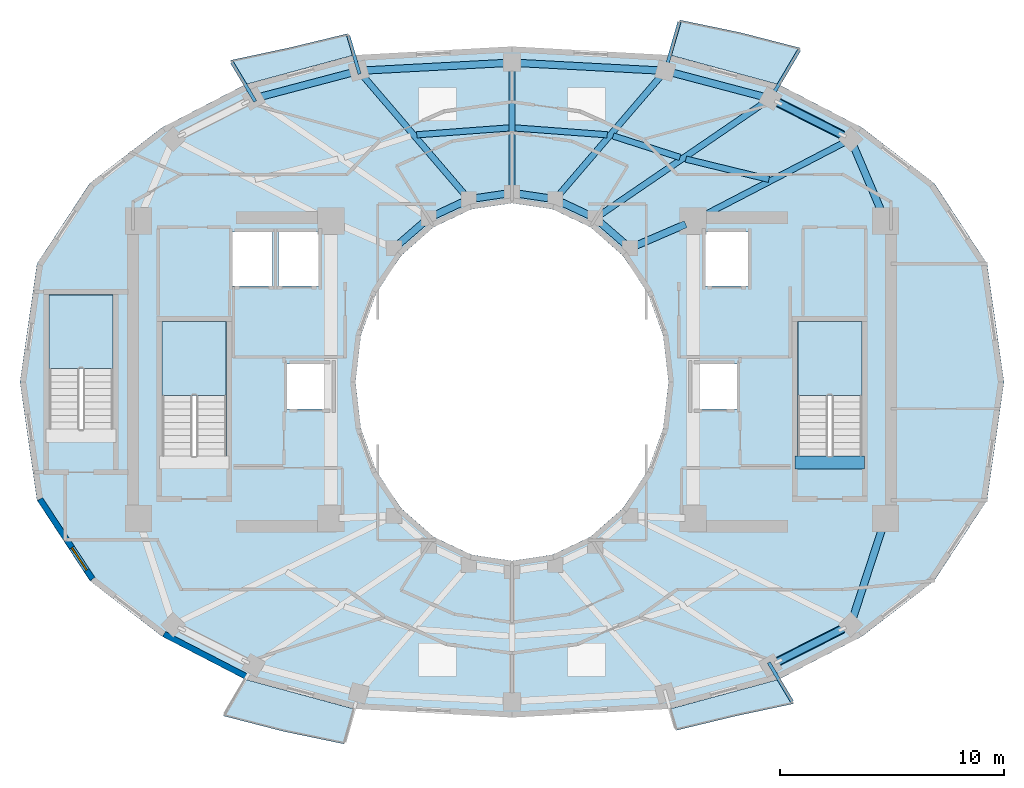
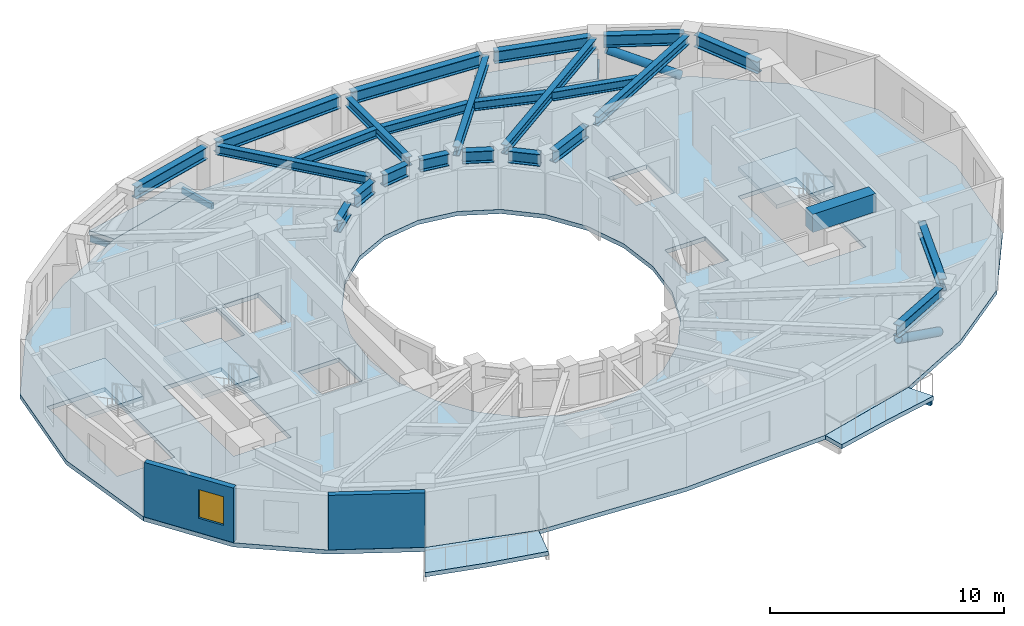
# One storey, part 2 of 10: 30 beams, 8 slabs, 2 members, 2 walls, 1 window, 1 opening, 3 elements without a shape of their own.
"""IFC4 building model written with IfcOpenShell, lengths in metres."""

from ifc_helpers import new_model, si_unit, direction, frame, frame_2d, origin, origin_2d, place, context, subcontext, project, spatial, polyline, rectangle, hollow_rectangle, hollow_circle, i_section, outline, extrude, material, layer, layer_set, material_profile, profile_set, type_object, element, fill, aggregate, save


model = new_model("IFC4")

# Units and contexts
model_context = context("Model", 3, precision=1e-05, world=origin(), true_north=direction((0.0, 1.0)))
body_context = subcontext(model_context, "Body", "Model", "MODEL_VIEW")
ifc_project = project(units=[si_unit("LENGTHUNIT", "METRE"), si_unit("AREAUNIT", "SQUARE_METRE"), si_unit("VOLUMEUNIT", "CUBIC_METRE"), si_unit("PLANEANGLEUNIT", "RADIAN"), si_unit("MASSUNIT", "GRAM", prefix="KILO")], contexts=[model_context])

# Site, building, storey
site_placement = place(None, origin())
site = spatial("IfcSite", under=ifc_project, at=site_placement, CompositionType="ELEMENT")
building_placement = place(site_placement, origin())
building = spatial("IfcBuilding", under=site, at=building_placement, Name="Solvane Sanctuary Tower", CompositionType="ELEMENT")
storey_placement = place(building_placement, frame((0.0, 0.0, 204.699951171875)))
storey = spatial("IfcBuildingStorey", under=building, at=storey_placement, Name="L62", CompositionType="ELEMENT", Elevation=204.699951171875)

# Beams
ifc_material_1 = material(Name="Steel ASTM A500 Grade C", Category="steel")
ifc_material_profile_1 = material_profile(ifc_material_1, hollow_rectangle(XDim=0.14990234375, YDim=0.300048828125, WallThickness=0.010009765625, at=origin_2d()), Name="HSS300X150X10")
ifc_profile_set_1 = profile_set([ifc_material_profile_1], Name="Steel ASTM A500 Grade C")
beam_type_1 = type_object("IfcBeamType", Name="Beam B-BALC-BRK HSS300X150X10", PredefinedType="BEAM", material=ifc_profile_set_1)
beam_1_placement = place(storey_placement, frame((43.478515625, 35.543701171875, -0.3720703125), z_axis=(0.509809885983, 0.860287091705, 0.0), x_axis=(-0.860287091705, 0.509809885983, 0.0)))
element("IfcBeam", 1, at=beam_1_placement, inside=storey, type_object=beam_type_1, Name="L62 Balcony Bracket N1-1", PredefinedType="BEAM", context=body_context, shape_type="SweptSolid", body=[
    extrude(hollow_rectangle(XDim=0.14990234375, YDim=0.300048828125, WallThickness=0.010009765625, at=origin_2d()), origin(), (0.0, 0.0, 1.0), 2.678466796875),
])
beam_2_placement = place(storey_placement, frame((38.814697265625, 36.770263671875, -0.3720703125), z_axis=(0.27680346203, 0.960926554638, 0.0), x_axis=(-0.960926554638, 0.27680346203, 0.0)))
element("IfcBeam", 2, at=beam_2_placement, inside=storey, type_object=beam_type_1, Name="L62 Balcony Bracket N1-2", PredefinedType="BEAM", context=body_context, shape_type="SweptSolid", body=[
    extrude(hollow_rectangle(XDim=0.14990234375, YDim=0.300048828125, WallThickness=0.010009765625, at=origin_2d()), origin(), (0.0, 0.0, 1.0), 2.414794921875),
])
beam_3_placement = place(storey_placement, frame((25.186279296875, 36.7705078125, -0.3720703125), z_axis=(-0.283366161068, 0.959011792817, 0.0), x_axis=(-0.959011792817, -0.283366161068, 0.0)))
element("IfcBeam", 3, at=beam_3_placement, inside=storey, type_object=beam_type_1, Name="L62 Balcony Bracket N2-1", PredefinedType="BEAM", context=body_context, shape_type="SweptSolid", body=[
    extrude(hollow_rectangle(XDim=0.14990234375, YDim=0.300048828125, WallThickness=0.010009765625, at=origin_2d()), origin(), (0.0, 0.0, 1.0), 1.784423828125),
])
for number, where, z_axis, x_axis, name in (
    (4, (20.521728515625, 35.5439453125, -0.3720703125), (-0.512776514132, 0.858522129333, 0.0), (-0.858522129333, -0.512776514132, 0.0), "L62 Balcony Bracket N2-2"),
    (5, (43.478271484375, 10.4560546875, -0.3720703125), (0.512776514132, -0.858522129333, 0.0), (0.858522129333, 0.512776514132, 0.0), "L62 Balcony Bracket S2-2"),
):
    element("IfcBeam", number, at=place(storey_placement, frame(where, z_axis=z_axis, x_axis=x_axis)), inside=storey, type_object=beam_type_1, Name=name, PredefinedType="BEAM", context=body_context, shape_type="SweptSolid", body=[
        extrude(hollow_rectangle(XDim=0.14990234375, YDim=0.300048828125, WallThickness=0.010009765625, at=origin_2d()), origin(), (0.0, 0.0, 1.0), 2.0478515625),
    ])
ifc_material_2 = material(Name="Concrete C70/85", Category="concrete")
ifc_material_profile_2 = material_profile(ifc_material_2, rectangle(XDim=0.60009765625, YDim=0.949951171875, at=origin_2d()), Name="RC600X950")
ifc_profile_set_2 = profile_set([ifc_material_profile_2], Name="Concrete C70/85")
beam_type_2 = type_object("IfcBeamType", Name="Beam B-COUPLE RC600X950", PredefinedType="LINTEL", material=ifc_profile_set_2)
beam_4_placement = place(storey_placement, frame((44.64990234375, 19.399169921875, 2.625), z_axis=(1.0, 0.0, 0.0), x_axis=(0.0, 1.0, 0.0)))
element("IfcBeam", 6, at=beam_4_placement, inside=storey, type_object=beam_type_2, Name="L62 ST-2 Stair Floor Landing Trimmer", PredefinedType="LINTEL", context=body_context, shape_type="SweptSolid", body=[
    extrude(rectangle(XDim=0.60009765625, YDim=0.949951171875, at=origin_2d()), origin(), (0.0, 0.0, 1.0), 3.1201171875),
])
ifc_material_3 = material(Name="Steel ASTM A992 Grade 50", Category="steel")
ifc_material_profile_3 = material_profile(ifc_material_3, i_section(OverallWidth=0.282958984375, OverallDepth=0.471923828125, WebThickness=0.013671875, FlangeThickness=0.022216796875, FilletRadius=0.013916015625, at=origin_2d()), Name="W18X97")
ifc_profile_set_3 = profile_set([ifc_material_profile_3], Name="Steel ASTM A992 Grade 50")
beam_type_3 = type_object("IfcBeamType", Name="Beam B-RAD-Z4 W18X97", PredefinedType="JOIST", material=ifc_profile_set_3)
beam_5_placement = place(storey_placement, frame((40.41943359375, 30.365966796875, 2.64208984375), z_axis=(0.887553429209, 0.460704797348, 0.0), x_axis=(-0.460704797348, 0.887553429209, 0.0)))
element("IfcBeam", 7, at=beam_5_placement, inside=storey, type_object=beam_type_3, Name="L62 Radial Composite Floor Beam 01", PredefinedType="JOIST", context=body_context, shape_type="SweptSolid", body=[
    extrude(i_section(OverallWidth=0.282958984375, OverallDepth=0.471923828125, WebThickness=0.013671875, FlangeThickness=0.022216796875, FilletRadius=0.013916015625, at=origin_2d()), origin(), (0.0, 0.0, 1.0), 7.297607421875),
])
beam_6_placement = place(storey_placement, frame((35.961181640625, 30.484619140625, 2.64208984375), z_axis=(0.825707980649, 0.564097802418, 0.0), x_axis=(-0.564097802418, 0.825707980649, 0.0)))
element("IfcBeam", 8, at=beam_6_placement, inside=storey, type_object=beam_type_3, Name="L62 Radial Composite Floor Beam 02", PredefinedType="JOIST", context=body_context, shape_type="SweptSolid", body=[
    extrude(i_section(OverallWidth=0.282958984375, OverallDepth=0.471923828125, WebThickness=0.013671875, FlangeThickness=0.022216796875, FilletRadius=0.013916015625, at=origin_2d()), origin(), (0.0, 0.0, 1.0), 8.9169921875),
])
beam_7_placement = place(storey_placement, frame((34.113037109375, 31.38427734375, 2.64208984375), z_axis=(0.651023809724, 0.759057309544, 0.0), x_axis=(-0.759057309544, 0.651023809724, 0.0)))
element("IfcBeam", 9, at=beam_7_placement, inside=storey, type_object=beam_type_3, Name="L62 Radial Composite Floor Beam 03", PredefinedType="JOIST", context=body_context, shape_type="SweptSolid", body=[
    extrude(i_section(OverallWidth=0.282958984375, OverallDepth=0.471923828125, WebThickness=0.013671875, FlangeThickness=0.022216796875, FilletRadius=0.013916015625, at=origin_2d()), origin(), (0.0, 0.0, 1.0), 7.005615234375),
])
beam_8_placement = place(storey_placement, frame((32.0, 31.739990234375, 2.64208984375), z_axis=(0.0, 1.0, 0.0), x_axis=(-1.0, 0.0, 0.0)))
element("IfcBeam", 10, at=beam_8_placement, inside=storey, type_object=beam_type_3, Name="L62 Radial Composite Floor Beam 04", PredefinedType="JOIST", context=body_context, shape_type="SweptSolid", body=[
    extrude(i_section(OverallWidth=0.282958984375, OverallDepth=0.471923828125, WebThickness=0.013671875, FlangeThickness=0.022216796875, FilletRadius=0.013916015625, at=origin_2d()), origin(), (0.0, 0.0, 1.0), 5.260009765625),
])
beam_9_placement = place(storey_placement, frame((29.886962890625, 31.38427734375, 2.64208984375), z_axis=(-0.651023809724, 0.759057309544, 0.0), x_axis=(-0.759057309544, -0.651023809724, 0.0)))
element("IfcBeam", 11, at=beam_9_placement, inside=storey, type_object=beam_type_3, Name="L62 Radial Composite Floor Beam 05", PredefinedType="JOIST", context=body_context, shape_type="SweptSolid", body=[
    extrude(i_section(OverallWidth=0.282958984375, OverallDepth=0.471923828125, WebThickness=0.013671875, FlangeThickness=0.022216796875, FilletRadius=0.013916015625, at=origin_2d()), origin(), (0.0, 0.0, 1.0), 7.005615234375),
])
ifc_material_profile_4 = material_profile(ifc_material_3, i_section(OverallWidth=0.324951171875, OverallDepth=0.615966796875, WebThickness=0.013916015625, FlangeThickness=0.021484375, FilletRadius=0.01611328125, at=origin_2d()), Name="W24X117")
ifc_profile_set_4 = profile_set([ifc_material_profile_4], Name="Steel ASTM A992 Grade 50")
beam_type_4 = type_object("IfcBeamType", Name="Beam B-RING-IN2 W24X117", PredefinedType="BEAM", material=ifc_profile_set_4)
beam_10_placement = place(storey_placement, frame((26.96630859375, 29.192138671875, 2.570068359375), z_axis=(0.754388985763, 0.656427648839, 0.0), x_axis=(-0.656427648839, 0.754388985763, 0.0)))
element("IfcBeam", 12, at=beam_10_placement, inside=storey, type_object=beam_type_4, Name="L62 Inner Light-Well Ring Beam IC07-IC06", PredefinedType="BEAM", context=body_context, shape_type="SweptSolid", body=[
    extrude(i_section(OverallWidth=0.324951171875, OverallDepth=0.615966796875, WebThickness=0.013916015625, FlangeThickness=0.021484375, FilletRadius=0.01611328125, at=origin_2d()), origin(), (0.0, 0.0, 1.0), 1.408203125),
])
beam_11_placement = place(storey_placement, frame((28.5595703125, 30.462646484375, 2.570068359375), z_axis=(0.905134542189, 0.425125229241, 0.0), x_axis=(-0.425125229241, 0.905134542189, 0.0)))
element("IfcBeam", 13, at=beam_11_placement, inside=storey, type_object=beam_type_4, Name="L62 Inner Light-Well Ring Beam IC06-IC05", PredefinedType="BEAM", context=body_context, shape_type="SweptSolid", body=[
    extrude(i_section(OverallWidth=0.324951171875, OverallDepth=0.615966796875, WebThickness=0.013916015625, FlangeThickness=0.021484375, FilletRadius=0.01611328125, at=origin_2d()), origin(), (0.0, 0.0, 1.0), 1.347900390625),
])
for number, where, z_axis, x_axis, name in (
    (14, (30.3857421875, 31.218994140625, 2.570068359375), (0.989056121481, 0.147539786368, 0.0), (-0.147539786368, 0.989056121481, 0.0), "L62 Inner Light-Well Ring Beam IC05-IC04"),
    (15, (32.31640625, 31.41259765625, 2.570068359375), (0.989056121481, -0.147539786368, 0.0), (0.147539786368, 0.989056121481, 0.0), "L62 Inner Light-Well Ring Beam IC04-IC03"),
):
    element("IfcBeam", number, at=place(storey_placement, frame(where, z_axis=z_axis, x_axis=x_axis)), inside=storey, type_object=beam_type_4, Name=name, PredefinedType="BEAM", context=body_context, shape_type="SweptSolid", body=[
        extrude(i_section(OverallWidth=0.324951171875, OverallDepth=0.615966796875, WebThickness=0.013916015625, FlangeThickness=0.021484375, FilletRadius=0.01611328125, at=origin_2d()), origin(), (0.0, 0.0, 1.0), 1.312255859375),
    ])
beam_12_placement = place(storey_placement, frame((34.220458984375, 31.03564453125, 2.570068359375), z_axis=(0.905134542189, -0.425125229241, 0.0), x_axis=(0.425125229241, 0.905134542189, 0.0)))
element("IfcBeam", 16, at=beam_12_placement, inside=storey, type_object=beam_type_4, Name="L62 Inner Light-Well Ring Beam IC03-IC02", PredefinedType="BEAM", context=body_context, shape_type="SweptSolid", body=[
    extrude(i_section(OverallWidth=0.324951171875, OverallDepth=0.615966796875, WebThickness=0.013916015625, FlangeThickness=0.021484375, FilletRadius=0.01611328125, at=origin_2d()), origin(), (0.0, 0.0, 1.0), 1.347900390625),
])
beam_13_placement = place(storey_placement, frame((35.971435546875, 30.116455078125, 2.570068359375), z_axis=(0.754388985763, -0.656427648839, 0.0), x_axis=(0.656427648839, 0.754388985763, 0.0)))
element("IfcBeam", 17, at=beam_13_placement, inside=storey, type_object=beam_type_4, Name="L62 Inner Light-Well Ring Beam IC02-IC01", PredefinedType="BEAM", context=body_context, shape_type="SweptSolid", body=[
    extrude(i_section(OverallWidth=0.324951171875, OverallDepth=0.615966796875, WebThickness=0.013916015625, FlangeThickness=0.021484375, FilletRadius=0.01611328125, at=origin_2d()), origin(), (0.0, 0.0, 1.0), 1.408203125),
])
beam_14_placement = place(storey_placement, frame((37.56884765625, 29.10888671875, 2.570068359375), z_axis=(0.918283854026, 0.395922673554, 0.0), x_axis=(-0.395922673554, 0.918283854026, 0.0)))
element("IfcBeam", 18, at=beam_14_placement, inside=storey, type_object=beam_type_4, Name="L62 Inner Light-Well Ring Beam IC01-CE4", PredefinedType="BEAM", context=body_context, shape_type="SweptSolid", body=[
    extrude(i_section(OverallWidth=0.324951171875, OverallDepth=0.615966796875, WebThickness=0.013916015625, FlangeThickness=0.021484375, FilletRadius=0.01611328125, at=origin_2d()), origin(), (0.0, 0.0, 1.0), 2.396240234375),
])
ifc_material_profile_5 = material_profile(ifc_material_3, i_section(OverallWidth=0.280029296875, OverallDepth=0.462890625, WebThickness=0.0107421875, FlangeThickness=0.017333984375, FilletRadius=0.013916015625, at=origin_2d()), Name="W18X76")
ifc_profile_set_5 = profile_set([ifc_material_profile_5], Name="Steel ASTM A992 Grade 50")
beam_type_5 = type_object("IfcBeamType", Name="Beam B-SEC-JOIST W18X76", PredefinedType="JOIST", material=ifc_profile_set_5)
for number, where, z_axis, x_axis, name in (
    (19, (27.74267578125, 34.052978515625, 2.646484375), (0.997239150169, 0.074256833823, 0.0), (-0.074256833823, 0.997239150169, 0.0), "L62 Secondary Circumferential Joist 05-04"),
    (20, (32.135986328125, 34.35986328125, 2.646484375), (0.997239150169, -0.074256833823, 0.0), (0.074256833823, 0.997239150169, 0.0), "L62 Secondary Circumferential Joist 04-03"),
):
    element("IfcBeam", number, at=place(storey_placement, frame(where, z_axis=z_axis, x_axis=x_axis)), inside=storey, type_object=beam_type_5, Name=name, PredefinedType="JOIST", context=body_context, shape_type="SweptSolid", body=[
        extrude(i_section(OverallWidth=0.280029296875, OverallDepth=0.462890625, WebThickness=0.0107421875, FlangeThickness=0.017333984375, FilletRadius=0.013916015625, at=origin_2d()), origin(), (0.0, 0.0, 1.0), 4.1328125),
    ])
beam_15_placement = place(storey_placement, frame((36.5234375, 34.001220703125, 2.646484375), z_axis=(0.952124803756, -0.305709597612, 0.0), x_axis=(0.305709597612, 0.952124803756, 0.0)))
element("IfcBeam", 21, at=beam_15_placement, inside=storey, type_object=beam_type_5, Name="L62 Secondary Circumferential Joist 03-02", PredefinedType="JOIST", context=body_context, shape_type="SweptSolid", body=[
    extrude(i_section(OverallWidth=0.280029296875, OverallDepth=0.462890625, WebThickness=0.0107421875, FlangeThickness=0.017333984375, FilletRadius=0.013916015625, at=origin_2d()), origin(), (0.0, 0.0, 1.0), 3.139404296875),
])
beam_16_placement = place(storey_placement, frame((39.775146484375, 32.96728515625, 2.646484375), z_axis=(0.971494163165, -0.237063474489, 0.0), x_axis=(0.237063474489, 0.971494163165, 0.0)))
element("IfcBeam", 22, at=beam_16_placement, inside=storey, type_object=beam_type_5, Name="L62 Secondary Circumferential Joist 02-01", PredefinedType="JOIST", context=body_context, shape_type="SweptSolid", body=[
    extrude(i_section(OverallWidth=0.280029296875, OverallDepth=0.462890625, WebThickness=0.0107421875, FlangeThickness=0.017333984375, FilletRadius=0.013916015625, at=origin_2d()), origin(), (0.0, 0.0, 1.0), 3.82373046875),
])
ifc_material_profile_6 = material_profile(ifc_material_3, i_section(OverallWidth=0.327880859375, OverallDepth=0.6279296875, WebThickness=0.0166015625, FlangeThickness=0.027587890625, FilletRadius=0.01611328125, at=origin_2d()), Name="W24X146")
ifc_profile_set_6 = profile_set([ifc_material_profile_6], Name="Steel ASTM A992 Grade 50")
beam_type_6 = type_object("IfcBeamType", Name="Beam B-SPAND-Z3 W24X146", PredefinedType="SPANDREL", material=ifc_profile_set_6)
beam_17_placement = place(storey_placement, frame((20.715576171875, 35.744140625, 2.56396484375), z_axis=(0.966816659466, 0.255471225343, 0.0), x_axis=(-0.255471225343, 0.966816659466, 0.0)))
element("IfcBeam", 23, at=beam_17_placement, inside=storey, type_object=beam_type_6, Name="L62 Perimeter Spandrel Beam TC06-TC05", PredefinedType="SPANDREL", context=body_context, shape_type="SweptSolid", body=[
    extrude(i_section(OverallWidth=0.327880859375, OverallDepth=0.6279296875, WebThickness=0.0166015625, FlangeThickness=0.027587890625, FilletRadius=0.01611328125, at=origin_2d()), origin(), (0.0, 0.0, 1.0), 4.300537109375),
])
for number, where, z_axis, x_axis, name in (
    (24, (25.423583984375, 36.92919921875, 2.56396484375), (0.998579926022, 0.05327411516, 0.0), (-0.05327411516, 0.998579926022, 0.0), "L62 Perimeter Spandrel Beam TC05-TC04"),
    (25, (32.279541015625, 37.26513671875, 2.56396484375), (0.998579926022, -0.05327411516, 0.0), (0.05327411516, 0.998579926022, 0.0), "L62 Perimeter Spandrel Beam TC04-TC03"),
):
    element("IfcBeam", number, at=place(storey_placement, frame(where, z_axis=z_axis, x_axis=x_axis)), inside=storey, type_object=beam_type_6, Name=name, PredefinedType="SPANDREL", context=body_context, shape_type="SweptSolid", body=[
        extrude(i_section(OverallWidth=0.327880859375, OverallDepth=0.6279296875, WebThickness=0.0166015625, FlangeThickness=0.027587890625, FilletRadius=0.01611328125, at=origin_2d()), origin(), (0.0, 0.0, 1.0), 6.305908203125),
    ])
beam_18_placement = place(storey_placement, frame((39.126708984375, 36.8427734375, 2.56396484375), z_axis=(0.966816659466, -0.255471225343, 0.0), x_axis=(0.255471225343, 0.966816659466, 0.0)))
element("IfcBeam", 26, at=beam_18_placement, inside=storey, type_object=beam_type_6, Name="L62 Perimeter Spandrel Beam TC03-TC02", PredefinedType="SPANDREL", context=body_context, shape_type="SweptSolid", body=[
    extrude(i_section(OverallWidth=0.327880859375, OverallDepth=0.6279296875, WebThickness=0.0166015625, FlangeThickness=0.027587890625, FilletRadius=0.01611328125, at=origin_2d()), origin(), (0.0, 0.0, 1.0), 4.300537109375),
])
beam_19_placement = place(storey_placement, frame((43.804931640625, 35.54638671875, 2.56396484375), z_axis=(0.892344822899, -0.451354314308, 0.0), x_axis=(0.451354314308, 0.892344822899, 0.0)))
element("IfcBeam", 27, at=beam_19_placement, inside=storey, type_object=beam_type_6, Name="L62 Perimeter Spandrel Beam TC02-TC01", PredefinedType="SPANDREL", context=body_context, shape_type="SweptSolid", body=[
    extrude(i_section(OverallWidth=0.327880859375, OverallDepth=0.6279296875, WebThickness=0.0166015625, FlangeThickness=0.027587890625, FilletRadius=0.01611328125, at=origin_2d()), origin(), (0.0, 0.0, 1.0), 3.462890625),
])
beam_20_placement = place(storey_placement, frame((47.25439453125, 33.599365234375, 2.56396484375), z_axis=(0.391328410333, -0.920251093597, 0.0), x_axis=(0.920251093597, 0.391328410333, 0.0)))
element("IfcBeam", 28, at=beam_20_placement, inside=storey, type_object=beam_type_6, Name="L62 Perimeter Spandrel Beam TC01-CE3", PredefinedType="SPANDREL", context=body_context, shape_type="SweptSolid", body=[
    extrude(i_section(OverallWidth=0.327880859375, OverallDepth=0.6279296875, WebThickness=0.0166015625, FlangeThickness=0.027587890625, FilletRadius=0.01611328125, at=origin_2d()), origin(), (0.0, 0.0, 1.0), 3.413818359375),
])
beam_21_placement = place(storey_placement, frame((43.804931640625, 10.45361328125, 2.56396484375), z_axis=(0.892344822899, 0.451354314308, 0.0), x_axis=(-0.451354314308, 0.892344822899, 0.0)))
element("IfcBeam", 29, at=beam_21_placement, inside=storey, type_object=beam_type_6, Name="L62 Perimeter Spandrel Beam TC13-TC14", PredefinedType="SPANDREL", context=body_context, shape_type="SweptSolid", body=[
    extrude(i_section(OverallWidth=0.327880859375, OverallDepth=0.6279296875, WebThickness=0.0166015625, FlangeThickness=0.027587890625, FilletRadius=0.01611328125, at=origin_2d()), origin(), (0.0, 0.0, 1.0), 3.462890625),
])
beam_22_placement = place(storey_placement, frame((47.23193359375, 12.4091796875, 2.56396484375), z_axis=(0.310735038966, 0.950496573144, 0.0), x_axis=(-0.950496573144, 0.310735038966, 0.0)))
element("IfcBeam", 30, at=beam_22_placement, inside=storey, type_object=beam_type_6, Name="L62 Perimeter Spandrel Beam TC14-CE2", PredefinedType="SPANDREL", context=body_context, shape_type="SweptSolid", body=[
    extrude(i_section(OverallWidth=0.327880859375, OverallDepth=0.6279296875, WebThickness=0.0166015625, FlangeThickness=0.027587890625, FilletRadius=0.01611328125, at=origin_2d()), origin(), (0.0, 0.0, 1.0), 4.444580078125),
])

# Members
ifc_material_profile_7 = material_profile(ifc_material_3, hollow_circle(Radius=0.202880859375, WallThickness=0.012451171875, at=origin_2d()), Name="CHS406X12.5")
ifc_profile_set_7 = profile_set([ifc_material_profile_7], Name="Steel ASTM A992 Grade 50")
member_type = type_object("IfcMemberType", Name="Member M-TUBE-Z3 CHS406X12.5", PredefinedType="BRACE", material=ifc_profile_set_7)
for number, where, z_axis, x_axis, name in (
    (31, (46.760986328125, 34.051025390625, 0.579833984375), (-0.809168494131, 0.409313786141, 0.4215549461), (-0.451381225256, -0.892331210642, 0.0), "L62 Perimeter Braced-Tube Diagonal NE"),
    (32, (46.760986328125, 11.948974609375, 0.579833984375), (-0.809168494131, -0.409313786141, 0.4215549461), (0.451381225256, -0.892331210642, 0.0), "L62 Perimeter Braced-Tube Diagonal SE"),
):
    element("IfcMember", number, at=place(storey_placement, frame(where, z_axis=z_axis, x_axis=x_axis)), inside=storey, type_object=member_type, Name=name, PredefinedType="BRACE", context=body_context, shape_type="SweptSolid", body=[
        extrude(hollow_circle(Radius=0.202880859375, WallThickness=0.012451171875, at=origin_2d()), origin(), (0.0, 0.0, 1.0), 3.51025390625),
    ])

# Slabs
ifc_material_4 = material(Name="Precast concrete C40/50", Category="concrete")
ifc_layer_1 = layer(ifc_material_4, 0.219970703125, Name="Precast concrete C40/50")
ifc_layer_set_1 = layer_set([ifc_layer_1], Name="Precast concrete C40/50")
slab_type_1 = type_object("IfcSlabType", Name="Slab SL-BALC-200", PredefinedType="FLOOR", material=ifc_layer_set_1)
slab_1_placement = place(storey_placement, frame((0.0, 0.0, -0.219970703125)))
element("IfcSlab", 33, at=slab_1_placement, inside=storey, type_object=slab_type_1, Name="L62 Wave Balcony Slab N1", PredefinedType="FLOOR", context=body_context, shape_type="SweptSolid", body=[
    extrude(outline(polyline([(44.89501953125, 37.933837890625), (42.211181640625, 38.6259765625), (39.5107421875, 39.186767578125), (39.089111328125, 37.61328125), (43.947021484375, 36.29443359375), (44.89501953125, 37.933837890625)])), origin(), (0.0, 0.0, 1.0), 0.219970703125),
])
slab_2_placement = place(storey_placement, frame((0.0, 0.0, -0.219970703125)))
element("IfcSlab", 34, at=slab_2_placement, inside=storey, type_object=slab_type_1, Name="L62 Wave Balcony Slab N2", PredefinedType="FLOOR", context=body_context, shape_type="SweptSolid", body=[
    extrude(outline(polyline([(24.65234375, 38.57763671875), (22.0673828125, 37.953369140625), (19.42041015625, 37.3876953125), (20.052978515625, 36.29443359375), (24.910888671875, 37.61328125), (24.65234375, 38.57763671875)])), origin(), (0.0, 0.0, 1.0), 0.219970703125),
])
slab_3_placement = place(storey_placement, frame((0.0, 0.0, -0.219970703125)))
element("IfcSlab", 35, at=slab_3_placement, inside=storey, type_object=slab_type_1, Name="L62 Wave Balcony Slab S1", PredefinedType="FLOOR", context=body_context, shape_type="SweptSolid", body=[
    extrude(outline(polyline([(19.10498046875, 8.066162109375), (21.788818359375, 7.3740234375), (24.4892578125, 6.813232421875), (24.910888671875, 8.38671875), (20.052978515625, 9.70556640625), (19.10498046875, 8.066162109375)])), origin(), (0.0, 0.0, 1.0), 0.219970703125),
])
slab_4_placement = place(storey_placement, frame((0.0, 0.0, -0.219970703125)))
element("IfcSlab", 36, at=slab_4_placement, inside=storey, type_object=slab_type_1, Name="L62 Wave Balcony Slab S2", PredefinedType="FLOOR", context=body_context, shape_type="SweptSolid", body=[
    extrude(outline(polyline([(39.34765625, 7.42236328125), (41.9326171875, 8.046630859375), (44.57958984375, 8.6123046875), (43.947021484375, 9.70556640625), (39.089111328125, 8.38671875), (39.34765625, 7.42236328125)])), origin(), (0.0, 0.0, 1.0), 0.219970703125),
])

# Stair, slab
ifc_material_5 = material(Name="Concrete C45/55", Category="concrete")
stair_type = type_object("IfcStairType", Name="Stair ST-TOW", PredefinedType="HALF_TURN_STAIR", material=ifc_material_5)
stair_1_placement = place(storey_placement, origin())
stair_1 = element("IfcStair", 37, at=stair_1_placement, inside=storey, type_object=stair_type, Name="L62 Exit Stair ST-1 West Core", PredefinedType="HALF_TURN_STAIR")
ifc_layer_2 = layer(ifc_material_5, 0.199951171875, Name="Concrete C45/55")
ifc_layer_set_2 = layer_set([ifc_layer_2], Name="Concrete C45/55")
slab_type_2 = type_object("IfcSlabType", Name="Slab SL-LAND-180", PredefinedType="LANDING", material=ifc_layer_set_2)
slab_5_placement = place(storey_placement, frame((0.0, 0.0, 1.35009765625)))
slab_5 = element("IfcSlab", 38, at=slab_5_placement, type_object=slab_type_2, Name="ST-1 landing 1", PredefinedType="LANDING", context=body_context, shape_type="SweptSolid", body=[
    extrude(outline(polyline([(19.219970703125, 22.39990234375), (19.219970703125, 25.699951171875), (16.360107421875, 25.699951171875), (16.360107421875, 22.39990234375), (19.219970703125, 22.39990234375)])), origin(), (0.0, 0.0, 1.0), 0.199951171875),
])
aggregate(stair_1, [slab_5])

stair_2_placement = place(storey_placement, origin())
stair_2 = element("IfcStair", 39, at=stair_2_placement, inside=storey, type_object=stair_type, Name="L62 Exit Stair ST-2 East Core", PredefinedType="HALF_TURN_STAIR")
slab_6_placement = place(storey_placement, frame((0.0, 0.0, 1.35009765625)))
slab_6 = element("IfcSlab", 40, at=slab_6_placement, type_object=slab_type_2, Name="ST-2 landing 1", PredefinedType="LANDING", context=body_context, shape_type="SweptSolid", body=[
    extrude(outline(polyline([(47.639892578125, 22.39990234375), (47.639892578125, 25.699951171875), (44.780029296875, 25.699951171875), (44.780029296875, 22.39990234375), (47.639892578125, 22.39990234375)])), origin(), (0.0, 0.0, 1.0), 0.199951171875),
])
aggregate(stair_2, [slab_6])

stair_3_placement = place(storey_placement, origin())
stair_3 = element("IfcStair", 41, at=stair_3_placement, inside=storey, type_object=stair_type, Name="L62 Exit Stair ST-3 Pilgrim Tower Stair", PredefinedType="HALF_TURN_STAIR")
slab_7_placement = place(storey_placement, frame((0.0, 0.0, 1.35009765625)))
slab_7 = element("IfcSlab", 42, at=slab_7_placement, type_object=slab_type_2, Name="ST-3 landing 1", PredefinedType="LANDING", context=body_context, shape_type="SweptSolid", body=[
    extrude(outline(polyline([(14.159912109375, 23.60009765625), (14.159912109375, 26.89990234375), (11.300048828125, 26.89990234375), (11.300048828125, 23.60009765625), (14.159912109375, 23.60009765625)])), origin(), (0.0, 0.0, 1.0), 0.199951171875),
])
aggregate(stair_3, [slab_7])

# Slab
ifc_layer_3 = layer(ifc_material_5, 0.219970703125, Name="Concrete C45/55")
ifc_layer_set_3 = layer_set([ifc_layer_3], Name="Concrete C45/55")
slab_type_3 = type_object("IfcSlabType", Name="Slab SL-TOW-220", PredefinedType="FLOOR", material=ifc_layer_set_3)
slab_8_placement = place(storey_placement, frame((0.0, 0.0, -0.219970703125)))
element("IfcSlab", 43, at=slab_8_placement, inside=storey, type_object=slab_type_3, Name="L62 Primary Structural Slab", PredefinedType="FLOOR", context=body_context, shape_type="SweptSolid", body=[
    extrude(outline(polyline([(54.0, 23.0), (53.239990234375, 28.283935546875), (50.881103515625, 31.885009765625), (47.6572265625, 34.369384765625), (43.946044921875, 36.29052734375), (39.088134765625, 37.609375), (32.0, 38.0), (24.911865234375, 37.609375), (20.053955078125, 36.29052734375), (16.3427734375, 34.369384765625), (13.118896484375, 31.885009765625), (10.760009765625, 28.283935546875), (10.0, 23.0), (10.760009765625, 17.716064453125), (13.118896484375, 14.114990234375), (16.3427734375, 11.630615234375), (20.053955078125, 9.70947265625), (24.911865234375, 8.390625), (32.0, 8.0), (39.088134765625, 8.390625), (43.946044921875, 9.70947265625), (47.6572265625, 11.630615234375), (50.881103515625, 14.114990234375), (53.239990234375, 17.716064453125), (54.0, 23.0)]), holes=[polyline([(38.761474609375, 20.929443359375), (38.062255859375, 19.0), (36.94970703125, 17.343017578125), (35.5, 16.07177734375), (33.811767578125, 15.272705078125), (32.0, 15.0), (30.188232421875, 15.272705078125), (28.5, 16.07177734375), (27.05029296875, 17.343017578125), (25.937744140625, 19.0), (25.238525390625, 20.929443359375), (25.0, 23.0), (25.238525390625, 25.070556640625), (25.937744140625, 27.0), (27.05029296875, 28.656982421875), (28.5, 29.92822265625), (30.188232421875, 30.727294921875), (32.0, 31.0), (33.811767578125, 30.727294921875), (35.5, 29.92822265625), (36.94970703125, 28.656982421875), (38.062255859375, 27.0), (38.761474609375, 25.070556640625), (39.0, 23.0), (38.761474609375, 20.929443359375)]), polyline([(16.360107421875, 19.699951171875), (16.360107421875, 25.699951171875), (19.219970703125, 25.699951171875), (19.219970703125, 19.699951171875), (16.360107421875, 19.699951171875)]), polyline([(44.780029296875, 19.699951171875), (44.780029296875, 25.699951171875), (47.639892578125, 25.699951171875), (47.639892578125, 19.699951171875), (44.780029296875, 19.699951171875)]), polyline([(11.300048828125, 20.89990234375), (11.300048828125, 26.89990234375), (14.159912109375, 26.89990234375), (14.159912109375, 20.89990234375), (11.300048828125, 20.89990234375)]), polyline([(21.949951171875, 23.800048828125), (23.949951171875, 23.800048828125), (23.949951171875, 21.800048828125), (21.949951171875, 21.800048828125), (21.949951171875, 23.800048828125)]), polyline([(40.050048828125, 23.800048828125), (42.050048828125, 23.800048828125), (42.050048828125, 21.800048828125), (40.050048828125, 21.800048828125), (40.050048828125, 23.800048828125)]), polyline([(19.5, 29.699951171875), (21.300048828125, 29.699951171875), (21.300048828125, 27.300048828125), (19.5, 27.300048828125), (19.5, 29.699951171875)]), polyline([(21.550048828125, 29.699951171875), (23.35009765625, 29.699951171875), (23.35009765625, 27.300048828125), (21.550048828125, 27.300048828125), (21.550048828125, 29.699951171875)]), polyline([(40.64990234375, 29.699951171875), (42.550048828125, 29.699951171875), (42.550048828125, 27.300048828125), (40.64990234375, 27.300048828125), (40.64990234375, 29.699951171875)])]), origin(), (0.0, 0.0, 1.0), 0.219970703125),
])

# Wall, opening, window
ifc_layer_4 = layer(ifc_material_4, 0.260009765625, Name="Precast concrete C40/50")
ifc_layer_set_4 = layer_set([ifc_layer_4], Name="Precast concrete C40/50")
wall_type = type_object("IfcWallType", Name="Wall W-EXT-250", PredefinedType="STANDARD", material=ifc_layer_set_4)
wall_1_placement = place(storey_placement, frame((10.895263671875, 17.76123046875, 0.0), z_axis=(0.0, 0.0, 1.0), x_axis=(0.548776305075, -0.835969238064, 0.0)))
wall_1 = element("IfcWall", 44, at=wall_1_placement, inside=storey, type_object=wall_type, Name="L62 Ceramic-Printed Facade Wall 13", PredefinedType="STANDARD", context=body_context, shape_type="SweptSolid", body=[
    extrude(rectangle(XDim=4.270751953125, YDim=0.260009765625, at=frame_2d((2.13525390625, 0.0))), origin(), (0.0, 0.0, 1.0), 2.85009765625),
])
opening_placement = place(wall_1_placement, frame((2.59375, 0.0, 0.75)))
opening = element("IfcOpeningElement", 45, at=opening_placement, cuts=wall_1, Name="Opening WN-OPER-1200", PredefinedType="OPENING", context=body_context, shape_type="SweptSolid", body=[
    extrude(rectangle(XDim=1.199951171875, YDim=1.5, at=frame_2d((0.60009765625, 0.75))), frame((0.0, 0.139892578125, 0.0), z_axis=(0.0, -1.0, 0.0), x_axis=(1.0, 0.0, 0.0)), (0.0, 0.0, 1.0), 0.280029296875),
])
ifc_material_6 = material(Name="Dark Ceramic-Fritted Low-E Glass", Category="glass")
window_type = type_object("IfcWindowType", Name="Window WN-OPER-1200", PartitioningType="SINGLE_PANEL", PredefinedType="WINDOW", material=ifc_material_6)
window_placement = place(opening_placement, origin())
window = element("IfcWindow", 46, at=window_placement, inside=storey, type_object=window_type, Name="L62 Operable Facade Window 13", OverallHeight=1.5, OverallWidth=1.199951171875, PartitioningType="SINGLE_PANEL", PredefinedType="WINDOW", context=body_context, shape_type="SweptSolid", body=[
    extrude(rectangle(XDim=1.199951171875, YDim=1.5, at=frame_2d((0.60009765625, 0.75))), frame((0.0, 0.030029296875, 0.0), z_axis=(0.0, -1.0, 0.0), x_axis=(1.0, 0.0, 0.0)), (0.0, 0.0, 1.0), 0.06005859375),
])
fill(opening, window)

# Wall
wall_2_placement = place(storey_placement, frame((16.4423828125, 11.7275390625, 0.0), z_axis=(0.0, 0.0, 1.0), x_axis=(0.88849146803, -0.458893137057, 0.0)))
element("IfcWall", 47, at=wall_2_placement, inside=storey, type_object=wall_type, Name="L62 Ceramic-Printed Facade Wall 15", PredefinedType="STANDARD", context=body_context, shape_type="SweptSolid", body=[
    extrude(rectangle(XDim=4.150390625, YDim=0.260009765625, at=frame_2d((2.0751953125, 0.0))), origin(), (0.0, 0.0, 1.0), 2.85009765625),
])

save(model, "model.ifc")
